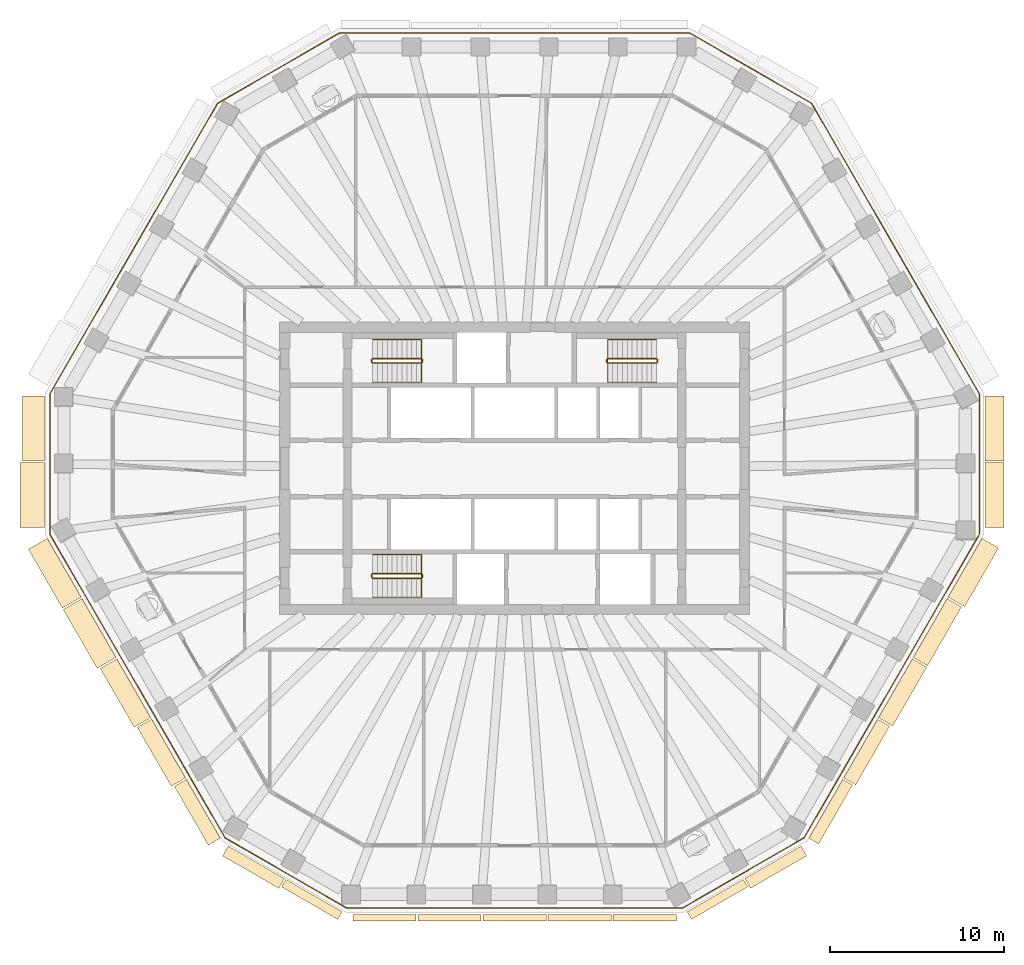
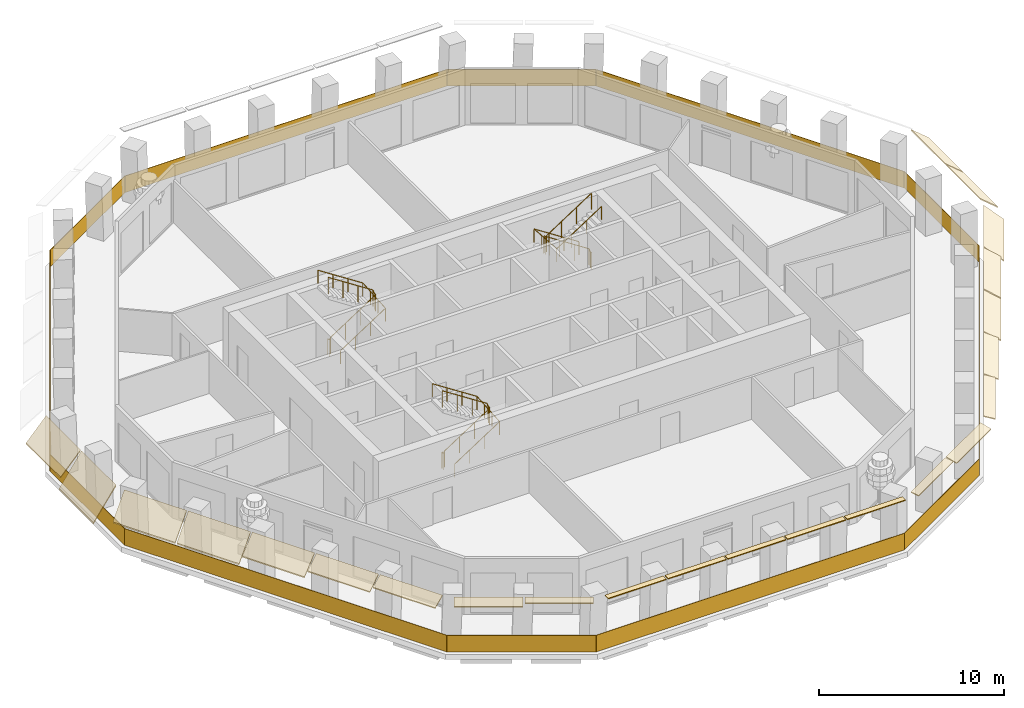
# One storey, part 9 of 12: 23 coverings, 7 railings.
"""IFC4 building model written with IfcOpenShell, lengths in metres."""

from ifc_helpers import new_model, si_unit, direction, frame, origin, origin_2d, place, context, subcontext, project, spatial, polyline, rectangle, circle, outline, extrude, material, layer, layer_set, type_object, element, save


model = new_model("IFC4")

# Units and contexts
model_context = context("Model", 3, precision=1e-05, world=origin(), true_north=direction((0.0, 1.0)))
body_context = subcontext(model_context, "Body", "Model", "MODEL_VIEW")
ifc_project = project(units=[si_unit("LENGTHUNIT", "METRE"), si_unit("AREAUNIT", "SQUARE_METRE"), si_unit("VOLUMEUNIT", "CUBIC_METRE"), si_unit("PLANEANGLEUNIT", "RADIAN"), si_unit("MASSUNIT", "GRAM", prefix="KILO")], contexts=[model_context])

# Site, building, storey
site_placement = place(None, origin())
site = spatial("IfcSite", under=ifc_project, at=site_placement, CompositionType="ELEMENT")
building_placement = place(site_placement, origin())
building = spatial("IfcBuilding", under=site, at=building_placement, Name="Frailejon Research Tower", CompositionType="ELEMENT")
storey_placement = place(building_placement, frame((0.0, 0.0, 219.39990234375)))
storey = spatial("IfcBuildingStorey", under=building, at=storey_placement, Name="L47", CompositionType="ELEMENT", Elevation=219.39990234375)

# Coverings
ifc_material_1 = material(Name="Precast concrete C50/60", Category="concrete")
ifc_layer_1 = layer(ifc_material_1, 0.06005859375)
ifc_layer_set_1 = layer_set([ifc_layer_1], Name="Brim blade depth 1100")
covering_type_1 = type_object("IfcCoveringType", Name="Brim blade depth 1100", PredefinedType="CLADDING", material=ifc_layer_set_1)
for number, where, z_axis, x_axis, name in (
    (1, (27.002197265625, 0.3271484375, 3.85009765625), (0.0, -1.0, 0.0), (1.0, 0.0, 0.0), "Brim blade L47"),
    (2, (27.002197265625, 4.15380859375, 3.85009765625), (0.0, -1.0, 0.0), (1.0, 0.0, 0.0), "Brim blade L47"),
):
    element("IfcCovering", number, at=place(storey_placement, frame(where, z_axis=z_axis, x_axis=x_axis)), inside=storey, type_object=covering_type_1, Name=name, PredefinedType="CLADDING", context=body_context, shape_type="SweptSolid", body=[
        extrude(outline(polyline([(0.0, -0.078369140625), (1.10009765625, -1.001220703125), (1.10009765625, -0.923095703125), (0.0, 0.0), (0.0, -0.078369140625)])), origin(), (0.0, 0.0, 1.0), 3.726806640625),
    ])
for number, where, z_axis, x_axis, name in (
    (3, (-20.893310546875, -14.311767578125, 3.85009765625), (-0.499991101994, 0.86603054099, 0.0), (-0.86603054099, -0.499991101994, 0.0), "Brim blade L47"),
    (4, (26.83642578125, -4.017822265625, 3.85009765625), (-0.499991101994, -0.86603054099, 0.0), (0.86603054099, -0.499991101994, 0.0), "Brim blade L47"),
):
    element("IfcCovering", number, at=place(storey_placement, frame(where, z_axis=z_axis, x_axis=x_axis)), inside=storey, type_object=covering_type_1, Name=name, PredefinedType="CLADDING", context=body_context, shape_type="SweptSolid", body=[
        extrude(outline(polyline([(0.0, -0.078369140625), (1.10009765625, -1.001220703125), (1.10009765625, -0.923095703125), (0.0, 0.0), (0.0, -0.078369140625)])), origin(), (0.0, 0.0, 1.0), 3.8955078125),
    ])
ifc_material_2 = material(Name="Precast concrete C50/60", Category="concrete")
ifc_layer_2 = layer(ifc_material_2, 0.06005859375)
ifc_layer_set_2 = layer_set([ifc_layer_2], Name="Brim blade depth 1250")
covering_type_2 = type_object("IfcCoveringType", Name="Brim blade depth 1250", PredefinedType="CLADDING", material=ifc_layer_set_2)
covering_1_placement = place(storey_placement, frame((-27.002197265625, 0.427001953125, 3.85009765625), z_axis=(0.0, 1.0, 0.0), x_axis=(-1.0, 0.0, 0.0)))
element("IfcCovering", 5, at=covering_1_placement, inside=storey, type_object=covering_type_2, Name="Brim blade L47", PredefinedType="CLADDING", context=body_context, shape_type="SweptSolid", body=[
    extrude(outline(polyline([(0.0, -0.0888671875), (1.25, -1.452880859375), (1.25, -1.364013671875), (0.0, 0.0), (0.0, -0.0888671875)])), origin(), (0.0, 0.0, 1.0), 3.726806640625),
])
for number, where, z_axis, x_axis, name in (
    (6, (-24.888671875, -7.3916015625, 3.85009765625), (-0.499991101994, 0.86603054099, 0.0), (-0.86603054099, -0.499991101994, 0.0), "Brim blade L47"),
    (7, (-22.89111328125, -10.8515625, 3.85009765625), (-0.50000193988, 0.866024283792, 0.0), (-0.866024283792, -0.50000193988, 0.0), "Brim blade L47"),
):
    element("IfcCovering", number, at=place(storey_placement, frame(where, z_axis=z_axis, x_axis=x_axis)), inside=storey, type_object=covering_type_2, Name=name, PredefinedType="CLADDING", context=body_context, shape_type="SweptSolid", body=[
        extrude(outline(polyline([(0.0, -0.0888671875), (1.25, -1.452880859375), (1.25, -1.364013671875), (0.0, 0.0), (0.0, -0.0888671875)])), origin(), (0.0, 0.0, 1.0), 3.8955078125),
    ])
ifc_material_3 = material(Name="Precast concrete C50/60", Category="concrete")
ifc_layer_3 = layer(ifc_material_3, 0.06005859375)
ifc_layer_set_3 = layer_set([ifc_layer_3], Name="Brim blade depth 1400")
covering_type_3 = type_object("IfcCoveringType", Name="Brim blade depth 1400", PredefinedType="CLADDING", material=ifc_layer_set_3)
covering_2_placement = place(storey_placement, frame((-27.002197265625, -3.399658203125, 3.85009765625), z_axis=(0.0, 1.0, 0.0), x_axis=(-1.0, 0.0, 0.0)))
element("IfcCovering", 8, at=covering_2_placement, inside=storey, type_object=covering_type_3, Name="Brim blade L47", PredefinedType="CLADDING", context=body_context, shape_type="SweptSolid", body=[
    extrude(outline(polyline([(0.0, -0.1044921875), (1.39990234375, -2.10400390625), (1.39990234375, -1.99951171875), (0.0, 0.0), (0.0, -0.1044921875)])), origin(), (0.0, 0.0, 1.0), 3.726806640625),
])
ifc_material_4 = material(Name="Precast concrete C50/60", Category="concrete")
ifc_layer_4 = layer(ifc_material_4, 0.06005859375)
ifc_layer_set_4 = layer_set([ifc_layer_4], Name="Brim blade depth 350")
covering_type_4 = type_object("IfcCoveringType", Name="Brim blade depth 350", PredefinedType="CLADDING", material=ifc_layer_set_4)
covering_3_placement = place(storey_placement, frame((-5.6513671875, -25.627197265625, 3.85009765625), z_axis=(-1.0, 0.0, 0.0), x_axis=(0.0, -1.0, 0.0)))
element("IfcCovering", 9, at=covering_3_placement, inside=storey, type_object=covering_type_4, Name="Brim blade L47", PredefinedType="CLADDING", context=body_context, shape_type="SweptSolid", body=[
    extrude(outline(polyline([(0.0, -0.06005859375), (0.35009765625, -0.06005859375), (0.35009765625, 0.0), (0.0, 0.0), (0.0, -0.06005859375)])), origin(), (0.0, 0.0, 1.0), 3.634033203125),
])
for number, where, z_axis, x_axis, name in (
    (10, (-1.9169921875, -25.627197265625, 3.85009765625), (-1.0, 0.0, 0.0), (0.0, -1.0, 0.0), "Brim blade L47"),
    (11, (1.817138671875, -25.627197265625, 3.85009765625), (-1.0, 0.0, 0.0), (0.0, -1.0, 0.0), "Brim blade L47"),
    (12, (5.55126953125, -25.627197265625, 3.85009765625), (-1.0, 0.0, 0.0), (0.0, -1.0, 0.0), "Brim blade L47"),
):
    element("IfcCovering", number, at=place(storey_placement, frame(where, z_axis=z_axis, x_axis=x_axis)), inside=storey, type_object=covering_type_4, Name=name, PredefinedType="CLADDING", context=body_context, shape_type="SweptSolid", body=[
        extrude(outline(polyline([(0.0, -0.06005859375), (0.35009765625, -0.06005859375), (0.35009765625, 0.0), (0.0, 0.0), (0.0, -0.06005859375)])), origin(), (0.0, 0.0, 1.0), 3.63427734375),
    ])
covering_4_placement = place(storey_placement, frame((9.285400390625, -25.627197265625, 3.85009765625), z_axis=(-1.0, 0.0, 0.0), x_axis=(0.0, -1.0, 0.0)))
element("IfcCovering", 13, at=covering_4_placement, inside=storey, type_object=covering_type_4, Name="Brim blade L47", PredefinedType="CLADDING", context=body_context, shape_type="SweptSolid", body=[
    extrude(outline(polyline([(0.0, -0.06005859375), (0.35009765625, -0.06005859375), (0.35009765625, 0.0), (0.0, 0.0), (0.0, -0.06005859375)])), origin(), (0.0, 0.0, 1.0), 3.634033203125),
])
ifc_material_5 = material(Name="Precast concrete C50/60", Category="concrete")
ifc_layer_5 = layer(ifc_material_5, 0.06005859375)
ifc_layer_set_5 = layer_set([ifc_layer_5], Name="Brim blade depth 500")
covering_type_5 = type_object("IfcCoveringType", Name="Brim blade depth 500", PredefinedType="CLADDING", material=ifc_layer_set_5)
for number, where, z_axis, x_axis, name in (
    (14, (-9.90380859375, -25.46142578125, 3.85009765625), (-0.866036325866, 0.499981081923, 0.0), (-0.499981081923, -0.866036325866, 0.0), "Brim blade L47"),
    (15, (13.131103515625, -23.59814453125, 3.85009765625), (-0.866036325866, -0.499981081923, 0.0), (0.499981081923, -0.866036325866, 0.0), "Brim blade L47"),
):
    element("IfcCovering", number, at=place(storey_placement, frame(where, z_axis=z_axis, x_axis=x_axis)), inside=storey, type_object=covering_type_5, Name=name, PredefinedType="CLADDING", context=body_context, shape_type="SweptSolid", body=[
        extrude(outline(polyline([(0.0, -0.060546875), (0.5, -0.130859375), (0.5, -0.0703125), (0.0, 0.0), (0.0, -0.060546875)])), origin(), (0.0, 0.0, 1.0), 3.726806640625),
    ])
ifc_material_6 = material(Name="Precast concrete C50/60", Category="concrete")
ifc_layer_6 = layer(ifc_material_6, 0.06005859375)
ifc_layer_set_6 = layer_set([ifc_layer_6], Name="Brim blade depth 650")
covering_type_6 = type_object("IfcCoveringType", Name="Brim blade depth 650", PredefinedType="CLADDING", material=ifc_layer_set_6)
for number, where, z_axis, x_axis, name in (
    (16, (-13.2177734375, -23.548095703125, 3.85009765625), (-0.866018477835, 0.500011995905, 0.0), (-0.500011995905, -0.866018477835, 0.0), "Brim blade L47"),
    (17, (16.4453125, -21.684814453125, 3.85009765625), (-0.866018477835, -0.500011995905, 0.0), (0.500011995905, -0.866018477835, 0.0), "Brim blade L47"),
):
    element("IfcCovering", number, at=place(storey_placement, frame(where, z_axis=z_axis, x_axis=x_axis)), inside=storey, type_object=covering_type_6, Name=name, PredefinedType="CLADDING", context=body_context, shape_type="SweptSolid", body=[
        extrude(outline(polyline([(0.0, -0.0625), (0.64990234375, -0.248779296875), (0.64990234375, -0.186279296875), (0.0, 0.0), (0.0, -0.0625)])), origin(), (0.0, 0.0, 1.0), 3.726806640625),
    ])
covering_5_placement = place(storey_placement, frame((18.845458984375, -17.8583984375, 3.85009765625), z_axis=(-0.499991101994, -0.86603054099, 0.0), x_axis=(0.86603054099, -0.499991101994, 0.0)))
element("IfcCovering", 18, at=covering_5_placement, inside=storey, type_object=covering_type_6, Name="Brim blade L47", PredefinedType="CLADDING", context=body_context, shape_type="SweptSolid", body=[
    extrude(outline(polyline([(0.0, -0.0625), (0.64990234375, -0.248779296875), (0.64990234375, -0.186279296875), (0.0, 0.0), (0.0, -0.0625)])), origin(), (0.0, 0.0, 1.0), 3.8955078125),
])
ifc_material_7 = material(Name="Precast concrete C50/60", Category="concrete")
ifc_layer_7 = layer(ifc_material_7, 0.06005859375)
ifc_layer_set_7 = layer_set([ifc_layer_7], Name="Brim blade depth 800")
covering_type_7 = type_object("IfcCoveringType", Name="Brim blade depth 800", PredefinedType="CLADDING", material=ifc_layer_set_7)
for number, where, z_axis, x_axis, name in (
    (19, (-16.897705078125, -21.232177734375, 3.85009765625), (-0.499991101994, 0.86603054099, 0.0), (-0.86603054099, -0.499991101994, 0.0), "Brim blade L47"),
    (20, (20.84326171875, -14.3984375, 3.85009765625), (-0.50002071098, -0.866013445965, 0.0), (0.866013445965, -0.50002071098, 0.0), "Brim blade L47"),
):
    element("IfcCovering", number, at=place(storey_placement, frame(where, z_axis=z_axis, x_axis=x_axis)), inside=storey, type_object=covering_type_7, Name=name, PredefinedType="CLADDING", context=body_context, shape_type="SweptSolid", body=[
        extrude(outline(polyline([(0.0, -0.065673828125), (0.800048828125, -0.421875), (0.800048828125, -0.356201171875), (0.0, 0.0), (0.0, -0.065673828125)])), origin(), (0.0, 0.0, 1.0), 3.8955078125),
    ])
ifc_material_8 = material(Name="Precast concrete C50/60", Category="concrete")
ifc_layer_8 = layer(ifc_material_8, 0.06005859375)
ifc_layer_set_8 = layer_set([ifc_layer_8], Name="Brim blade depth 950")
covering_type_8 = type_object("IfcCoveringType", Name="Brim blade depth 950", PredefinedType="CLADDING", material=ifc_layer_set_8)
for number, where, z_axis, x_axis, name in (
    (21, (-18.8955078125, -17.77197265625, 3.85009765625), (-0.50002071098, 0.866013445965, 0.0), (-0.866013445965, -0.50002071098, 0.0), "Brim blade L47"),
    (22, (22.841064453125, -10.938232421875, 3.85009765625), (-0.499991101994, -0.86603054099, 0.0), (0.86603054099, -0.499991101994, 0.0), "Brim blade L47"),
    (23, (24.838623046875, -7.47802734375, 3.85009765625), (-0.50000193988, -0.866024283792, 0.0), (0.866024283792, -0.50000193988, 0.0), "Brim blade L47"),
):
    element("IfcCovering", number, at=place(storey_placement, frame(where, z_axis=z_axis, x_axis=x_axis)), inside=storey, type_object=covering_type_8, Name=name, PredefinedType="CLADDING", context=body_context, shape_type="SweptSolid", body=[
        extrude(outline(polyline([(0.0, -0.07080078125), (0.949951171875, -0.664306640625), (0.949951171875, -0.593505859375), (0.0, 0.0), (0.0, -0.07080078125)])), origin(), (0.0, 0.0, 1.0), 3.8955078125),
    ])

# Railings
ifc_material_9 = material(Name="Laminated glass balustrade", Category="glass")
railing_type_1 = type_object("IfcRailingType", Name="Glass guard 1100", PredefinedType="GUARDRAIL", material=ifc_material_9)
railing_1_placement = place(storey_placement, frame((26.68212890625, -3.790283203125, 0.0)))
element("IfcRailing", 24, at=railing_1_placement, inside=storey, type_object=railing_type_1, Name="Loggia guard L47", PredefinedType="GUARDRAIL", context=body_context, shape_type="SweptSolid", body=[
    extrude(rectangle(XDim=8.08349609375, YDim=0.030029296875, at=origin_2d()), frame((0.0, 4.041748046875, 0.0), z_axis=(0.0, 0.0, 1.0), x_axis=(0.0, 1.0, 0.0)), (0.0, 0.0, 1.0), 1.10009765625),
    extrude(rectangle(XDim=19.24609375, YDim=0.030029296875, at=origin_2d()), frame((-4.8115234375, 16.417236328125, 0.0), z_axis=(0.0, 0.0, 1.0), x_axis=(-0.500002826807, 0.86602377172, 0.0)), (0.0, 0.0, 1.0), 1.10009765625),
    extrude(rectangle(XDim=8.08349609375, YDim=0.030029296875, at=origin_2d()), frame((-13.123291015625, 26.77197265625, 0.0), z_axis=(0.0, 0.0, 1.0), x_axis=(-0.866011562111, 0.500023973715, 0.0)), (0.0, 0.0, 1.0), 1.10009765625),
    extrude(rectangle(XDim=20.1171875, YDim=0.030029296875, at=origin_2d()), frame((-26.68212890625, 28.79296875, 0.0), z_axis=(0.0, 0.0, 1.0), x_axis=(-1.0, 0.0, 0.0)), (0.0, 0.0, 1.0), 1.10009765625),
    extrude(rectangle(XDim=8.08349609375, YDim=0.030029296875, at=origin_2d()), frame((-40.240966796875, 26.77197265625, 0.0), z_axis=(0.0, 0.0, 1.0), x_axis=(-0.866011562111, -0.500023973715, 0.0)), (0.0, 0.0, 1.0), 1.10009765625),
    extrude(rectangle(XDim=19.24609375, YDim=0.030029296875, at=origin_2d()), frame((-48.552734375, 16.417236328125, 0.0), z_axis=(0.0, 0.0, 1.0), x_axis=(-0.500002826807, -0.86602377172, 0.0)), (0.0, 0.0, 1.0), 1.10009765625),
    extrude(rectangle(XDim=8.08349609375, YDim=0.030029296875, at=origin_2d()), frame((-53.3642578125, 4.041748046875, 0.0), z_axis=(0.0, 0.0, 1.0), x_axis=(0.0, -1.0, 0.0)), (0.0, 0.0, 1.0), 1.10009765625),
    extrude(rectangle(XDim=20.1171875, YDim=0.030029296875, at=origin_2d()), frame((-48.3349609375, -8.7109375, 0.0), z_axis=(0.0, 0.0, 1.0), x_axis=(0.500002592159, -0.866023907196, 0.0)), (0.0, 0.0, 1.0), 1.10009765625),
    extrude(rectangle(XDim=8.08349609375, YDim=0.030029296875, at=origin_2d()), frame((-39.805419921875, -19.44287109375, 0.0), z_axis=(0.0, 0.0, 1.0), x_axis=(0.866024640271, -0.500001322442, 0.0)), (0.0, 0.0, 1.0), 1.10009765625),
    extrude(rectangle(XDim=19.24609375, YDim=0.030029296875, at=origin_2d()), frame((-26.68212890625, -21.463623046875, 0.0), z_axis=(0.0, 0.0, 1.0), x_axis=(1.0, 0.0, 0.0)), (0.0, 0.0, 1.0), 1.10009765625),
    extrude(rectangle(XDim=8.08349609375, YDim=0.030029296875, at=origin_2d()), frame((-13.558837890625, -19.44287109375, 0.0), z_axis=(0.0, 0.0, 1.0), x_axis=(0.866024640271, 0.500001322442, 0.0)), (0.0, 0.0, 1.0), 1.10009765625),
    extrude(rectangle(XDim=20.046875, YDim=0.030029296875, at=origin_2d()), frame((-5.046875, -8.7412109375, 0.0), z_axis=(0.0, 0.0, 1.0), x_axis=(0.500009544879, 0.866019892976, 0.0)), (0.0, 0.0, 1.0), 1.10009765625),
])
ifc_material_10 = material(Name="Stainless steel", Category="steel")
railing_type_2 = type_object("IfcRailingType", Name="Stair guard 1100", PredefinedType="GUARDRAIL", material=ifc_material_10)
railing_2_placement = place(storey_placement, frame((-8.199951171875, 6.25, 0.0)))
element("IfcRailing", 25, at=railing_2_placement, inside=storey, type_object=railing_type_2, Name="L47 ST1 stair guard 1", PredefinedType="GUARDRAIL", context=body_context, shape_type="SweptSolid", body=[
    extrude(circle(Radius=0.02392578125, at=origin_2d()), frame((0.0, 0.0, 1.076171875), z_axis=(0.0, -1.0, 0.0), x_axis=(1.0, 0.0, 0.0)), (0.0, 0.0, 1.0), 0.14990234375),
    extrude(circle(Radius=0.02392578125, at=origin_2d()), frame((0.0, -0.14990234375, 1.076171875), z_axis=(0.256435381639, -0.256435381639, 0.931923704005), x_axis=(0.707106781187, 0.707106781187, 0.0)), (0.0, 0.0, 1.0), 0.195068359375),
    extrude(circle(Radius=0.02392578125, at=origin_2d()), frame((0.050048828125, -0.199951171875, 1.2578125), z_axis=(0.83868413941, 0.0, 0.544618136222), x_axis=(0.0, 1.0, 0.0)), (0.0, 0.0, 1.0), 3.33837890625),
    extrude(circle(Radius=0.02392578125, at=origin_2d()), frame((2.849853515625, -0.199951171875, 3.076171875), z_axis=(0.707106781187, 0.707106781187, 0.0), x_axis=(-0.707106781187, 0.707106781187, 0.0)), (0.0, 0.0, 1.0), 0.07080078125),
    extrude(circle(Radius=0.02392578125, at=origin_2d()), frame((2.89990234375, -0.14990234375, 3.076171875), z_axis=(0.0, 1.0, 0.0), x_axis=(-1.0, 0.0, 0.0)), (0.0, 0.0, 1.0), 0.14990234375),
    extrude(circle(Radius=0.02392578125, at=origin_2d()), frame((2.89990234375, 0.0, 3.076171875), z_axis=(-0.256435381639, 0.256435381639, 0.931923704005), x_axis=(-0.707106781187, -0.707106781187, 0.0)), (0.0, 0.0, 1.0), 0.195068359375),
    extrude(circle(Radius=0.02392578125, at=origin_2d()), frame((2.849853515625, 0.050048828125, 3.2578125), z_axis=(-0.83868413941, 0.0, 0.544618136222), x_axis=(0.0, -1.0, 0.0)), (0.0, 0.0, 1.0), 3.33837890625),
    extrude(circle(Radius=0.02099609375, at=origin_2d()), origin(), (0.0, 0.0, 1.0), 1.052001953125),
    extrude(circle(Radius=0.02099609375, at=origin_2d()), frame((0.0, -0.14990234375, 0.0)), (0.0, 0.0, 1.0), 1.052001953125),
    extrude(circle(Radius=0.02099609375, at=origin_2d()), frame((0.050048828125, -0.199951171875, 0.181884765625)), (0.0, 0.0, 1.0), 1.052001953125),
    extrude(circle(Radius=0.02099609375, at=origin_2d()), frame((0.9833984375, -0.199951171875, 0.787841796875)), (0.0, 0.0, 1.0), 1.052001953125),
    extrude(circle(Radius=0.02099609375, at=origin_2d()), frame((1.91650390625, -0.199951171875, 1.39404296875)), (0.0, 0.0, 1.0), 1.052001953125),
    extrude(circle(Radius=0.02099609375, at=origin_2d()), frame((2.849853515625, -0.199951171875, 2.0)), (0.0, 0.0, 1.0), 1.052001953125),
    extrude(circle(Radius=0.02099609375, at=origin_2d()), frame((2.89990234375, -0.14990234375, 2.0)), (0.0, 0.0, 1.0), 1.052001953125),
    extrude(circle(Radius=0.02099609375, at=origin_2d()), frame((2.89990234375, 0.0, 2.0)), (0.0, 0.0, 1.0), 1.052001953125),
    extrude(circle(Radius=0.02099609375, at=origin_2d()), frame((2.849853515625, 0.050048828125, 2.181884765625)), (0.0, 0.0, 1.0), 1.052001953125),
    extrude(circle(Radius=0.02099609375, at=origin_2d()), frame((1.91650390625, 0.050048828125, 2.787841796875)), (0.0, 0.0, 1.0), 1.052001953125),
    extrude(circle(Radius=0.02099609375, at=origin_2d()), frame((0.9833984375, 0.050048828125, 3.39404296875)), (0.0, 0.0, 1.0), 1.052001953125),
    extrude(circle(Radius=0.02099609375, at=origin_2d()), frame((0.050048828125, 0.050048828125, 4.0)), (0.0, 0.0, 1.0), 1.052001953125),
])
railing_3_placement = place(storey_placement, frame((-8.199951171875, -6.10009765625, 0.0)))
element("IfcRailing", 26, at=railing_3_placement, inside=storey, type_object=railing_type_2, Name="L47 ST2 stair guard 1", PredefinedType="GUARDRAIL", context=body_context, shape_type="SweptSolid", body=[
    extrude(circle(Radius=0.02392578125, at=origin_2d()), frame((0.0, 0.0, 1.076171875), z_axis=(0.0, -1.0, 0.0), x_axis=(1.0, 0.0, 0.0)), (0.0, 0.0, 1.0), 0.14990234375),
    extrude(circle(Radius=0.02392578125, at=origin_2d()), frame((0.0, -0.14990234375, 1.076171875), z_axis=(0.256435381639, -0.256435381639, 0.931923704005), x_axis=(0.707106781187, 0.707106781187, 0.0)), (0.0, 0.0, 1.0), 0.195068359375),
    extrude(circle(Radius=0.02392578125, at=origin_2d()), frame((0.050048828125, -0.199951171875, 1.2578125), z_axis=(0.83868413941, 0.0, 0.544618136222), x_axis=(0.0, 1.0, 0.0)), (0.0, 0.0, 1.0), 3.33837890625),
    extrude(circle(Radius=0.02392578125, at=origin_2d()), frame((2.849853515625, -0.199951171875, 3.076171875), z_axis=(0.707106781187, 0.707106781187, 0.0), x_axis=(-0.707106781187, 0.707106781187, 0.0)), (0.0, 0.0, 1.0), 0.07080078125),
    extrude(circle(Radius=0.02392578125, at=origin_2d()), frame((2.89990234375, -0.14990234375, 3.076171875), z_axis=(0.0, 1.0, 0.0), x_axis=(-1.0, 0.0, 0.0)), (0.0, 0.0, 1.0), 0.14990234375),
    extrude(circle(Radius=0.02392578125, at=origin_2d()), frame((2.89990234375, 0.0, 3.076171875), z_axis=(-0.256435381639, 0.256435381639, 0.931923704005), x_axis=(-0.707106781187, -0.707106781187, 0.0)), (0.0, 0.0, 1.0), 0.195068359375),
    extrude(circle(Radius=0.02392578125, at=origin_2d()), frame((2.849853515625, 0.050048828125, 3.2578125), z_axis=(-0.83868413941, 0.0, 0.544618136222), x_axis=(0.0, -1.0, 0.0)), (0.0, 0.0, 1.0), 3.33837890625),
    extrude(circle(Radius=0.02099609375, at=origin_2d()), origin(), (0.0, 0.0, 1.0), 1.052001953125),
    extrude(circle(Radius=0.02099609375, at=origin_2d()), frame((0.0, -0.14990234375, 0.0)), (0.0, 0.0, 1.0), 1.052001953125),
    extrude(circle(Radius=0.02099609375, at=origin_2d()), frame((0.050048828125, -0.199951171875, 0.181884765625)), (0.0, 0.0, 1.0), 1.052001953125),
    extrude(circle(Radius=0.02099609375, at=origin_2d()), frame((0.9833984375, -0.199951171875, 0.787841796875)), (0.0, 0.0, 1.0), 1.052001953125),
    extrude(circle(Radius=0.02099609375, at=origin_2d()), frame((1.91650390625, -0.199951171875, 1.39404296875)), (0.0, 0.0, 1.0), 1.052001953125),
    extrude(circle(Radius=0.02099609375, at=origin_2d()), frame((2.849853515625, -0.199951171875, 2.0)), (0.0, 0.0, 1.0), 1.052001953125),
    extrude(circle(Radius=0.02099609375, at=origin_2d()), frame((2.89990234375, -0.14990234375, 2.0)), (0.0, 0.0, 1.0), 1.052001953125),
    extrude(circle(Radius=0.02099609375, at=origin_2d()), frame((2.89990234375, 0.0, 2.0)), (0.0, 0.0, 1.0), 1.052001953125),
    extrude(circle(Radius=0.02099609375, at=origin_2d()), frame((2.849853515625, 0.050048828125, 2.181884765625)), (0.0, 0.0, 1.0), 1.052001953125),
    extrude(circle(Radius=0.02099609375, at=origin_2d()), frame((1.91650390625, 0.050048828125, 2.787841796875)), (0.0, 0.0, 1.0), 1.052001953125),
    extrude(circle(Radius=0.02099609375, at=origin_2d()), frame((0.9833984375, 0.050048828125, 3.39404296875)), (0.0, 0.0, 1.0), 1.052001953125),
    extrude(circle(Radius=0.02099609375, at=origin_2d()), frame((0.050048828125, 0.050048828125, 4.0)), (0.0, 0.0, 1.0), 1.052001953125),
])
railing_4_placement = place(storey_placement, frame((8.199951171875, 6.10009765625, 0.0)))
element("IfcRailing", 27, at=railing_4_placement, inside=storey, type_object=railing_type_2, Name="L47 ST3 stair guard 1", PredefinedType="GUARDRAIL", context=body_context, shape_type="SweptSolid", body=[
    extrude(circle(Radius=0.02392578125, at=origin_2d()), frame((0.0, 0.0, 1.076171875), z_axis=(0.0, 1.0, 0.0), x_axis=(-1.0, 0.0, 0.0)), (0.0, 0.0, 1.0), 0.14990234375),
    extrude(circle(Radius=0.02392578125, at=origin_2d()), frame((0.0, 0.14990234375, 1.076171875), z_axis=(-0.256435381639, 0.256435381639, 0.931923704005), x_axis=(-0.707106781187, -0.707106781187, 0.0)), (0.0, 0.0, 1.0), 0.195068359375),
    extrude(circle(Radius=0.02392578125, at=origin_2d()), frame((-0.050048828125, 0.199951171875, 1.2578125), z_axis=(-0.83868413941, 0.0, 0.544618136222), x_axis=(0.0, -1.0, 0.0)), (0.0, 0.0, 1.0), 3.33837890625),
    extrude(circle(Radius=0.02392578125, at=origin_2d()), frame((-2.849853515625, 0.199951171875, 3.076171875), z_axis=(-0.707106781187, -0.707106781187, 0.0), x_axis=(0.707106781187, -0.707106781187, 0.0)), (0.0, 0.0, 1.0), 0.07080078125),
    extrude(circle(Radius=0.02392578125, at=origin_2d()), frame((-2.89990234375, 0.14990234375, 3.076171875), z_axis=(0.0, -1.0, 0.0), x_axis=(1.0, 0.0, 0.0)), (0.0, 0.0, 1.0), 0.14990234375),
    extrude(circle(Radius=0.02392578125, at=origin_2d()), frame((-2.89990234375, 0.0, 3.076171875), z_axis=(0.256435381639, -0.256435381639, 0.931923704005), x_axis=(0.707106781187, 0.707106781187, 0.0)), (0.0, 0.0, 1.0), 0.195068359375),
    extrude(circle(Radius=0.02392578125, at=origin_2d()), frame((-2.849853515625, -0.050048828125, 3.2578125), z_axis=(0.83868413941, 0.0, 0.544618136222), x_axis=(0.0, 1.0, 0.0)), (0.0, 0.0, 1.0), 3.33837890625),
    extrude(circle(Radius=0.02099609375, at=origin_2d()), origin(), (0.0, 0.0, 1.0), 1.052001953125),
    extrude(circle(Radius=0.02099609375, at=origin_2d()), frame((0.0, 0.14990234375, 0.0)), (0.0, 0.0, 1.0), 1.052001953125),
    extrude(circle(Radius=0.02099609375, at=origin_2d()), frame((-0.050048828125, 0.199951171875, 0.181884765625)), (0.0, 0.0, 1.0), 1.052001953125),
    extrude(circle(Radius=0.02099609375, at=origin_2d()), frame((-0.9833984375, 0.199951171875, 0.787841796875)), (0.0, 0.0, 1.0), 1.052001953125),
    extrude(circle(Radius=0.02099609375, at=origin_2d()), frame((-1.91650390625, 0.199951171875, 1.39404296875)), (0.0, 0.0, 1.0), 1.052001953125),
    extrude(circle(Radius=0.02099609375, at=origin_2d()), frame((-2.849853515625, 0.199951171875, 2.0)), (0.0, 0.0, 1.0), 1.052001953125),
    extrude(circle(Radius=0.02099609375, at=origin_2d()), frame((-2.89990234375, 0.14990234375, 2.0)), (0.0, 0.0, 1.0), 1.052001953125),
    extrude(circle(Radius=0.02099609375, at=origin_2d()), frame((-2.89990234375, 0.0, 2.0)), (0.0, 0.0, 1.0), 1.052001953125),
    extrude(circle(Radius=0.02099609375, at=origin_2d()), frame((-2.849853515625, -0.050048828125, 2.181884765625)), (0.0, 0.0, 1.0), 1.052001953125),
    extrude(circle(Radius=0.02099609375, at=origin_2d()), frame((-1.91650390625, -0.050048828125, 2.787841796875)), (0.0, 0.0, 1.0), 1.052001953125),
    extrude(circle(Radius=0.02099609375, at=origin_2d()), frame((-0.9833984375, -0.050048828125, 3.39404296875)), (0.0, 0.0, 1.0), 1.052001953125),
    extrude(circle(Radius=0.02099609375, at=origin_2d()), frame((-0.050048828125, -0.050048828125, 4.0)), (0.0, 0.0, 1.0), 1.052001953125),
])
ifc_material_11 = material(Name="Stainless steel", Category="steel")
railing_type_3 = type_object("IfcRailingType", Name="Stair handrail 900", PredefinedType="HANDRAIL", material=ifc_material_11)
railing_5_placement = place(storey_placement, frame((-8.14990234375, 4.949951171875, 0.181884765625)))
element("IfcRailing", 28, at=railing_5_placement, inside=storey, type_object=railing_type_3, Name="L47 ST1 stair handrail 1", PredefinedType="HANDRAIL", context=body_context, shape_type="SweptSolid", body=[
    extrude(circle(Radius=0.02392578125, at=origin_2d()), frame((0.0, 0.0, 0.8759765625), z_axis=(0.83868413941, 0.0, 0.544618136222), x_axis=(0.0, 1.0, 0.0)), (0.0, 0.0, 1.0), 3.33837890625),
    extrude(circle(Radius=0.02392578125, at=origin_2d()), frame((2.7998046875, 0.0, 2.69384765625), z_axis=(0.0, 0.997255538948, 0.074036410216), x_axis=(-1.0, 0.0, 0.0)), (0.0, 0.0, 1.0), 2.456787109375),
    extrude(circle(Radius=0.02392578125, at=origin_2d()), frame((2.7998046875, 2.449951171875, 2.8759765625), z_axis=(-0.83868413941, 0.0, 0.544618136222), x_axis=(0.0, -1.0, 0.0)), (0.0, 0.0, 1.0), 3.33837890625),
    extrude(circle(Radius=0.02099609375, at=origin_2d()), origin(), (0.0, 0.0, 1.0), 0.851806640625),
    extrude(circle(Radius=0.02099609375, at=origin_2d()), frame((0.933349609375, 0.0, 0.60595703125)), (0.0, 0.0, 1.0), 0.851806640625),
    extrude(circle(Radius=0.02099609375, at=origin_2d()), frame((1.866455078125, 0.0, 1.212158203125)), (0.0, 0.0, 1.0), 0.851806640625),
    extrude(circle(Radius=0.02099609375, at=origin_2d()), frame((2.7998046875, 0.0, 1.818115234375)), (0.0, 0.0, 1.0), 0.851806640625),
    extrude(circle(Radius=0.02099609375, at=origin_2d()), frame((2.7998046875, 0.816650390625, 1.878662109375)), (0.0, 0.0, 1.0), 0.851806640625),
    extrude(circle(Radius=0.02099609375, at=origin_2d()), frame((2.7998046875, 1.63330078125, 1.939453125)), (0.0, 0.0, 1.0), 0.851806640625),
    extrude(circle(Radius=0.02099609375, at=origin_2d()), frame((2.7998046875, 2.449951171875, 2.0)), (0.0, 0.0, 1.0), 0.851806640625),
    extrude(circle(Radius=0.02099609375, at=origin_2d()), frame((1.866455078125, 2.449951171875, 2.60595703125)), (0.0, 0.0, 1.0), 0.851806640625),
    extrude(circle(Radius=0.02099609375, at=origin_2d()), frame((0.933349609375, 2.449951171875, 3.212158203125)), (0.0, 0.0, 1.0), 0.851806640625),
    extrude(circle(Radius=0.02099609375, at=origin_2d()), frame((0.0, 2.449951171875, 3.818115234375)), (0.0, 0.0, 1.0), 0.851806640625),
])
railing_6_placement = place(storey_placement, frame((-8.14990234375, -7.39990234375, 0.181884765625)))
element("IfcRailing", 29, at=railing_6_placement, inside=storey, type_object=railing_type_3, Name="L47 ST2 stair handrail 1", PredefinedType="HANDRAIL", context=body_context, shape_type="SweptSolid", body=[
    extrude(circle(Radius=0.02392578125, at=origin_2d()), frame((0.0, 0.0, 0.8759765625), z_axis=(0.83868413941, 0.0, 0.544618136222), x_axis=(0.0, 1.0, 0.0)), (0.0, 0.0, 1.0), 3.33837890625),
    extrude(circle(Radius=0.02392578125, at=origin_2d()), frame((2.7998046875, 0.0, 2.69384765625), z_axis=(0.0, 0.997255538948, 0.074036410216), x_axis=(-1.0, 0.0, 0.0)), (0.0, 0.0, 1.0), 2.456787109375),
    extrude(circle(Radius=0.02392578125, at=origin_2d()), frame((2.7998046875, 2.449951171875, 2.8759765625), z_axis=(-0.83868413941, 0.0, 0.544618136222), x_axis=(0.0, -1.0, 0.0)), (0.0, 0.0, 1.0), 3.33837890625),
    extrude(circle(Radius=0.02099609375, at=origin_2d()), origin(), (0.0, 0.0, 1.0), 0.851806640625),
    extrude(circle(Radius=0.02099609375, at=origin_2d()), frame((0.933349609375, 0.0, 0.60595703125)), (0.0, 0.0, 1.0), 0.851806640625),
    extrude(circle(Radius=0.02099609375, at=origin_2d()), frame((1.866455078125, 0.0, 1.212158203125)), (0.0, 0.0, 1.0), 0.851806640625),
    extrude(circle(Radius=0.02099609375, at=origin_2d()), frame((2.7998046875, 0.0, 1.818115234375)), (0.0, 0.0, 1.0), 0.851806640625),
    extrude(circle(Radius=0.02099609375, at=origin_2d()), frame((2.7998046875, 0.816650390625, 1.878662109375)), (0.0, 0.0, 1.0), 0.851806640625),
    extrude(circle(Radius=0.02099609375, at=origin_2d()), frame((2.7998046875, 1.63330078125, 1.939453125)), (0.0, 0.0, 1.0), 0.851806640625),
    extrude(circle(Radius=0.02099609375, at=origin_2d()), frame((2.7998046875, 2.449951171875, 2.0)), (0.0, 0.0, 1.0), 0.851806640625),
    extrude(circle(Radius=0.02099609375, at=origin_2d()), frame((1.866455078125, 2.449951171875, 2.60595703125)), (0.0, 0.0, 1.0), 0.851806640625),
    extrude(circle(Radius=0.02099609375, at=origin_2d()), frame((0.933349609375, 2.449951171875, 3.212158203125)), (0.0, 0.0, 1.0), 0.851806640625),
    extrude(circle(Radius=0.02099609375, at=origin_2d()), frame((0.0, 2.449951171875, 3.818115234375)), (0.0, 0.0, 1.0), 0.851806640625),
])
railing_7_placement = place(storey_placement, frame((8.14990234375, 7.39990234375, 0.181884765625)))
element("IfcRailing", 30, at=railing_7_placement, inside=storey, type_object=railing_type_3, Name="L47 ST3 stair handrail 1", PredefinedType="HANDRAIL", context=body_context, shape_type="SweptSolid", body=[
    extrude(circle(Radius=0.02392578125, at=origin_2d()), frame((0.0, 0.0, 0.8759765625), z_axis=(-0.83868413941, 0.0, 0.544618136222), x_axis=(0.0, -1.0, 0.0)), (0.0, 0.0, 1.0), 3.33837890625),
    extrude(circle(Radius=0.02392578125, at=origin_2d()), frame((-2.7998046875, 0.0, 2.69384765625), z_axis=(0.0, -0.997255538948, 0.074036410216), x_axis=(1.0, 0.0, 0.0)), (0.0, 0.0, 1.0), 2.456787109375),
    extrude(circle(Radius=0.02392578125, at=origin_2d()), frame((-2.7998046875, -2.449951171875, 2.8759765625), z_axis=(0.83868413941, 0.0, 0.544618136222), x_axis=(0.0, 1.0, 0.0)), (0.0, 0.0, 1.0), 3.33837890625),
    extrude(circle(Radius=0.02099609375, at=origin_2d()), origin(), (0.0, 0.0, 1.0), 0.851806640625),
    extrude(circle(Radius=0.02099609375, at=origin_2d()), frame((-0.933349609375, 0.0, 0.60595703125)), (0.0, 0.0, 1.0), 0.851806640625),
    extrude(circle(Radius=0.02099609375, at=origin_2d()), frame((-1.866455078125, 0.0, 1.212158203125)), (0.0, 0.0, 1.0), 0.851806640625),
    extrude(circle(Radius=0.02099609375, at=origin_2d()), frame((-2.7998046875, 0.0, 1.818115234375)), (0.0, 0.0, 1.0), 0.851806640625),
    extrude(circle(Radius=0.02099609375, at=origin_2d()), frame((-2.7998046875, -0.816650390625, 1.878662109375)), (0.0, 0.0, 1.0), 0.851806640625),
    extrude(circle(Radius=0.02099609375, at=origin_2d()), frame((-2.7998046875, -1.63330078125, 1.939453125)), (0.0, 0.0, 1.0), 0.851806640625),
    extrude(circle(Radius=0.02099609375, at=origin_2d()), frame((-2.7998046875, -2.449951171875, 2.0)), (0.0, 0.0, 1.0), 0.851806640625),
    extrude(circle(Radius=0.02099609375, at=origin_2d()), frame((-1.866455078125, -2.449951171875, 2.60595703125)), (0.0, 0.0, 1.0), 0.851806640625),
    extrude(circle(Radius=0.02099609375, at=origin_2d()), frame((-0.933349609375, -2.449951171875, 3.212158203125)), (0.0, 0.0, 1.0), 0.851806640625),
    extrude(circle(Radius=0.02099609375, at=origin_2d()), frame((0.0, -2.449951171875, 3.818115234375)), (0.0, 0.0, 1.0), 0.851806640625),
])

save(model, "model.ifc")
